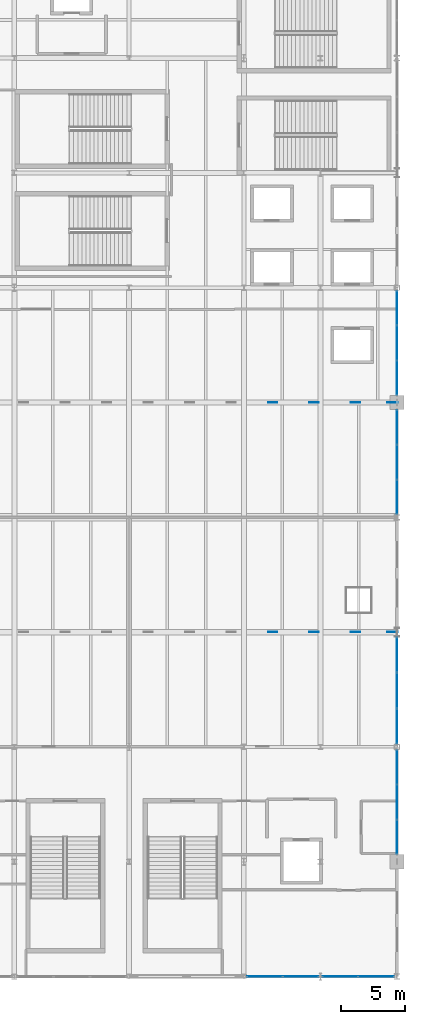
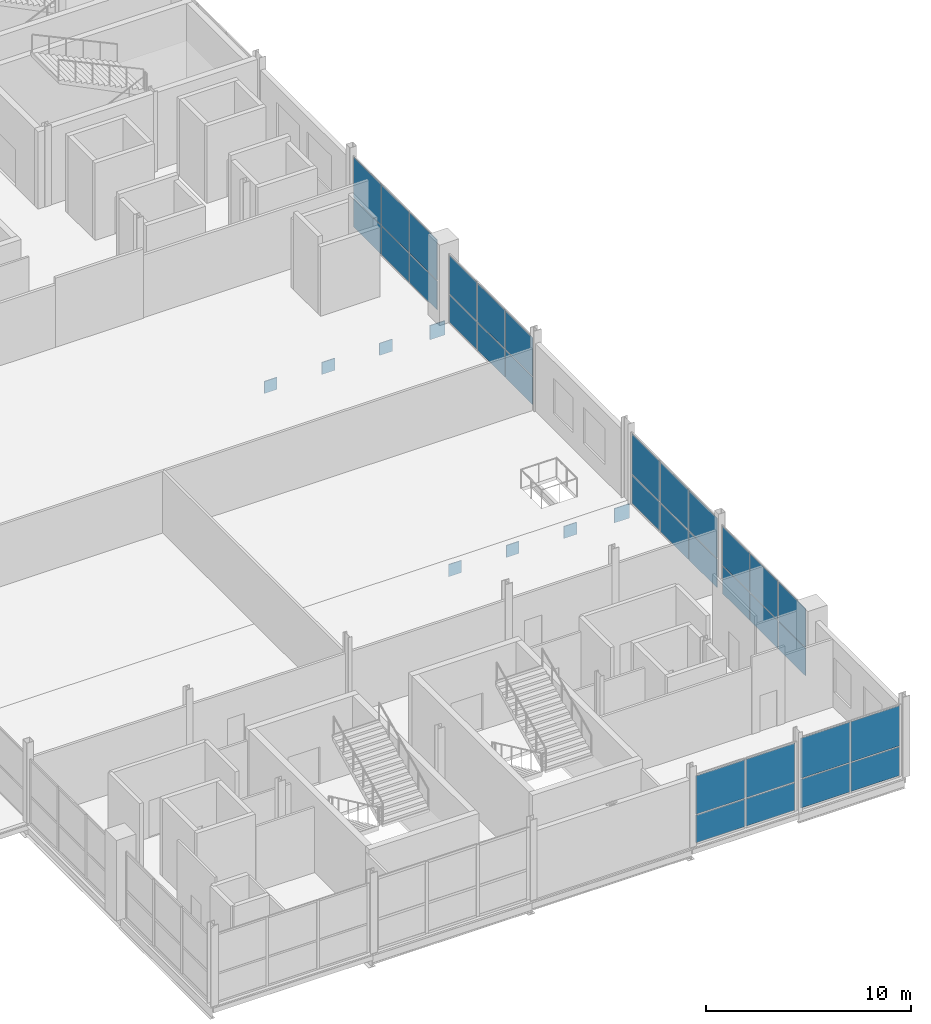
# One storey, part 44 of 69: 40 plates, 6 elements without a shape of their own.
"""IFC4 building model written with IfcOpenShell, lengths in metres."""

from ifc_helpers import new_model, si_unit, direction, frame, origin, origin_2d, place, context, subcontext, project, spatial, rectangle, extrude, material, layer, layer_set, type_object, element, aggregate, save


model = new_model("IFC4")

# Units and contexts
model_context = context("Model", 3, precision=1e-05, world=origin(), true_north=direction((0.0, 1.0)))
body_context = subcontext(model_context, "Body", "Model", "MODEL_VIEW")
ifc_project = project(units=[si_unit("LENGTHUNIT", "METRE"), si_unit("AREAUNIT", "SQUARE_METRE"), si_unit("VOLUMEUNIT", "CUBIC_METRE"), si_unit("PLANEANGLEUNIT", "RADIAN"), si_unit("MASSUNIT", "GRAM", prefix="KILO")], contexts=[model_context])

# Site, building, storey
site_placement = place(None, origin())
site = spatial("IfcSite", under=ifc_project, at=site_placement, CompositionType="ELEMENT")
building_placement = place(site_placement, origin())
building = spatial("IfcBuilding", under=site, at=building_placement, Name="Qamarlyn Nura Convention Centre", CompositionType="ELEMENT")
storey_placement = place(building_placement, frame((0.0, 0.0, 15.60009765625)))
storey = spatial("IfcBuildingStorey", under=building, at=storey_placement, Name="L03", CompositionType="ELEMENT", Elevation=15.60009765625)

# Curtain wall, plates
ifc_material_1 = material(Name="Double-silver low-E insulated glass", Category="glass")
ifc_layer_1 = layer(ifc_material_1, 0.179931640625, Name="CW-UNIT-94")
ifc_layer_set_1 = layer_set([ifc_layer_1], Name="Double-silver low-E insulated glass")
curtain_wall_type_1 = type_object("IfcCurtainWallType", Name="CW-UNIT-94", PredefinedType="NOTDEFINED", material=ifc_layer_set_1)
curtain_wall_1_placement = place(storey_placement, origin())
curtain_wall_1 = element("IfcCurtainWall", 1, at=curtain_wall_1_placement, inside=storey, type_object=curtain_wall_type_1, Name="L03 unitised curtain wall EAST-2-1", PredefinedType="NOTDEFINED")
ifc_layer_2 = layer(ifc_material_1, 0.028076171875, Name="CWP-VIS-28")
ifc_layer_set_2 = layer_set([ifc_layer_2], Name="Double-silver low-E insulated glass")
plate_type_1 = type_object("IfcPlateType", Name="CWP-VIS-28", PredefinedType="CURTAIN_PANEL", material=ifc_layer_set_2)
plate_1_placement = place(storey_placement, frame((192.0, 16.409912109375, 0.06005859375), z_axis=(0.0, 0.0, 1.0), x_axis=(0.0, -1.0, 0.0)))
plate_1 = element("IfcPlate", 2, at=plate_1_placement, type_object=plate_type_1, Name="CW94 panel 1.1", PredefinedType="CURTAIN_PANEL", context=body_context, shape_type="SweptSolid", body=[
    extrude(rectangle(XDim=2.659912109375, YDim=0.028076171875, at=origin_2d()), origin(), (0.0, 0.0, 1.0), 1.639892578125),
])
plate_2_placement = place(storey_placement, frame((192.0, 16.409912109375, 1.759765625), z_axis=(0.0, 0.0, 1.0), x_axis=(0.0, -1.0, 0.0)))
plate_2 = element("IfcPlate", 3, at=plate_2_placement, type_object=plate_type_1, Name="CW94 panel 1.2", PredefinedType="CURTAIN_PANEL", context=body_context, shape_type="SweptSolid", body=[
    extrude(rectangle(XDim=2.659912109375, YDim=0.028076171875, at=origin_2d()), origin(), (0.0, 0.0, 1.0), 2.299072265625),
])
plate_3_placement = place(storey_placement, frame((192.0, 13.675048828125, 0.06005859375), z_axis=(0.0, 0.0, 1.0), x_axis=(0.0, -1.0, 0.0)))
plate_3 = element("IfcPlate", 4, at=plate_3_placement, type_object=plate_type_1, Name="CW94 panel 2.1", PredefinedType="CURTAIN_PANEL", context=body_context, shape_type="SweptSolid", body=[
    extrude(rectangle(XDim=2.68994140625, YDim=0.028076171875, at=origin_2d()), origin(), (0.0, 0.0, 1.0), 1.639892578125),
])
plate_4_placement = place(storey_placement, frame((192.0, 13.675048828125, 1.759765625), z_axis=(0.0, 0.0, 1.0), x_axis=(0.0, -1.0, 0.0)))
plate_4 = element("IfcPlate", 5, at=plate_4_placement, type_object=plate_type_1, Name="CW94 panel 2.2", PredefinedType="CURTAIN_PANEL", context=body_context, shape_type="SweptSolid", body=[
    extrude(rectangle(XDim=2.68994140625, YDim=0.028076171875, at=origin_2d()), origin(), (0.0, 0.0, 1.0), 2.299072265625),
])
plate_5_placement = place(storey_placement, frame((192.0, 10.93994140625, 0.06005859375), z_axis=(0.0, 0.0, 1.0), x_axis=(0.0, -1.0, 0.0)))
plate_5 = element("IfcPlate", 6, at=plate_5_placement, type_object=plate_type_1, Name="CW94 panel 3.1", PredefinedType="CURTAIN_PANEL", context=body_context, shape_type="SweptSolid", body=[
    extrude(rectangle(XDim=2.659912109375, YDim=0.028076171875, at=origin_2d()), origin(), (0.0, 0.0, 1.0), 1.639892578125),
])
plate_6_placement = place(storey_placement, frame((192.0, 10.93994140625, 1.759765625), z_axis=(0.0, 0.0, 1.0), x_axis=(0.0, -1.0, 0.0)))
plate_6 = element("IfcPlate", 7, at=plate_6_placement, type_object=plate_type_1, Name="CW94 panel 3.2", PredefinedType="CURTAIN_PANEL", context=body_context, shape_type="SweptSolid", body=[
    extrude(rectangle(XDim=2.659912109375, YDim=0.028076171875, at=origin_2d()), origin(), (0.0, 0.0, 1.0), 2.299072265625),
])
aggregate(curtain_wall_1, [plate_1, plate_2, plate_3, plate_4, plate_5, plate_6])

ifc_layer_3 = layer(ifc_material_1, 0.179931640625, Name="CW-UNIT-112")
ifc_layer_set_3 = layer_set([ifc_layer_3], Name="Double-silver low-E insulated glass")
curtain_wall_type_2 = type_object("IfcCurtainWallType", Name="CW-UNIT-112", PredefinedType="NOTDEFINED", material=ifc_layer_set_3)
curtain_wall_2_placement = place(storey_placement, origin())
curtain_wall_2 = element("IfcCurtainWall", 8, at=curtain_wall_2_placement, inside=storey, type_object=curtain_wall_type_2, Name="L03 unitised curtain wall EAST-3-1", PredefinedType="NOTDEFINED")
plate_7_placement = place(storey_placement, frame((192.0, 25.226318359375, 0.06982421875), z_axis=(0.0, 0.0, 1.0), x_axis=(0.0, -1.0, 0.0)))
plate_7 = element("IfcPlate", 9, at=plate_7_placement, type_object=plate_type_1, Name="CW112 panel 1.1", PredefinedType="CURTAIN_PANEL", context=body_context, shape_type="SweptSolid", body=[
    extrude(rectangle(XDim=2.71240234375, YDim=0.028076171875, at=origin_2d()), origin(), (0.0, 0.0, 1.0), 1.695068359375),
])
plate_8_placement = place(storey_placement, frame((192.0, 25.226318359375, 1.8349609375), z_axis=(0.0, 0.0, 1.0), x_axis=(0.0, -1.0, 0.0)))
plate_8 = element("IfcPlate", 10, at=plate_8_placement, type_object=plate_type_1, Name="CW112 panel 1.2", PredefinedType="CURTAIN_PANEL", context=body_context, shape_type="SweptSolid", body=[
    extrude(rectangle(XDim=2.71240234375, YDim=0.028076171875, at=origin_2d()), origin(), (0.0, 0.0, 1.0), 2.3798828125),
])
plate_9_placement = place(storey_placement, frame((192.0, 22.42626953125, 0.06982421875), z_axis=(0.0, 0.0, 1.0), x_axis=(0.0, -1.0, 0.0)))
plate_9 = element("IfcPlate", 11, at=plate_9_placement, type_object=plate_type_1, Name="CW112 panel 2.1", PredefinedType="CURTAIN_PANEL", context=body_context, shape_type="SweptSolid", body=[
    extrude(rectangle(XDim=2.74755859375, YDim=0.028076171875, at=origin_2d()), origin(), (0.0, 0.0, 1.0), 1.695068359375),
])
plate_10_placement = place(storey_placement, frame((192.0, 22.42626953125, 1.8349609375), z_axis=(0.0, 0.0, 1.0), x_axis=(0.0, -1.0, 0.0)))
plate_10 = element("IfcPlate", 12, at=plate_10_placement, type_object=plate_type_1, Name="CW112 panel 2.2", PredefinedType="CURTAIN_PANEL", context=body_context, shape_type="SweptSolid", body=[
    extrude(rectangle(XDim=2.74755859375, YDim=0.028076171875, at=origin_2d()), origin(), (0.0, 0.0, 1.0), 2.3798828125),
])
plate_11_placement = place(storey_placement, frame((192.0, 19.626220703125, 0.06982421875), z_axis=(0.0, 0.0, 1.0), x_axis=(0.0, -1.0, 0.0)))
plate_11 = element("IfcPlate", 13, at=plate_11_placement, type_object=plate_type_1, Name="CW112 panel 3.1", PredefinedType="CURTAIN_PANEL", context=body_context, shape_type="SweptSolid", body=[
    extrude(rectangle(XDim=2.71240234375, YDim=0.028076171875, at=origin_2d()), origin(), (0.0, 0.0, 1.0), 1.695068359375),
])
plate_12_placement = place(storey_placement, frame((192.0, 19.626220703125, 1.8349609375), z_axis=(0.0, 0.0, 1.0), x_axis=(0.0, -1.0, 0.0)))
plate_12 = element("IfcPlate", 14, at=plate_12_placement, type_object=plate_type_1, Name="CW112 panel 3.2", PredefinedType="CURTAIN_PANEL", context=body_context, shape_type="SweptSolid", body=[
    extrude(rectangle(XDim=2.71240234375, YDim=0.028076171875, at=origin_2d()), origin(), (0.0, 0.0, 1.0), 2.3798828125),
])
aggregate(curtain_wall_2, [plate_7, plate_8, plate_9, plate_10, plate_11, plate_12])

curtain_wall_3_placement = place(storey_placement, origin())
curtain_wall_3 = element("IfcCurtainWall", 15, at=curtain_wall_3_placement, inside=storey, type_object=curtain_wall_type_1, Name="L03 unitised curtain wall EAST-5-1", PredefinedType="NOTDEFINED")
plate_13_placement = place(storey_placement, frame((192.0, 43.060791015625, 0.06494140625), z_axis=(0.0, 0.0, 1.0), x_axis=(0.0, -1.0, 0.0)))
plate_13 = element("IfcPlate", 16, at=plate_13_placement, type_object=plate_type_1, Name="CW94 panel 1.1", PredefinedType="CURTAIN_PANEL", context=body_context, shape_type="SweptSolid", body=[
    extrude(rectangle(XDim=2.6484375, YDim=0.028076171875, at=origin_2d()), origin(), (0.0, 0.0, 1.0), 1.632568359375),
])
plate_14_placement = place(storey_placement, frame((192.0, 43.060791015625, 1.762451171875), z_axis=(0.0, 0.0, 1.0), x_axis=(0.0, -1.0, 0.0)))
plate_14 = element("IfcPlate", 17, at=plate_14_placement, type_object=plate_type_1, Name="CW94 panel 1.2", PredefinedType="CURTAIN_PANEL", context=body_context, shape_type="SweptSolid", body=[
    extrude(rectangle(XDim=2.6484375, YDim=0.028076171875, at=origin_2d()), origin(), (0.0, 0.0, 1.0), 2.29150390625),
])
plate_15_placement = place(storey_placement, frame((192.0, 40.331298828125, 0.06494140625), z_axis=(0.0, 0.0, 1.0), x_axis=(0.0, -1.0, 0.0)))
plate_15 = element("IfcPlate", 18, at=plate_15_placement, type_object=plate_type_1, Name="CW94 panel 2.1", PredefinedType="CURTAIN_PANEL", context=body_context, shape_type="SweptSolid", body=[
    extrude(rectangle(XDim=2.680908203125, YDim=0.028076171875, at=origin_2d()), origin(), (0.0, 0.0, 1.0), 1.632568359375),
])
plate_16_placement = place(storey_placement, frame((192.0, 40.331298828125, 1.762451171875), z_axis=(0.0, 0.0, 1.0), x_axis=(0.0, -1.0, 0.0)))
plate_16 = element("IfcPlate", 19, at=plate_16_placement, type_object=plate_type_1, Name="CW94 panel 2.2", PredefinedType="CURTAIN_PANEL", context=body_context, shape_type="SweptSolid", body=[
    extrude(rectangle(XDim=2.680908203125, YDim=0.028076171875, at=origin_2d()), origin(), (0.0, 0.0, 1.0), 2.29150390625),
])
plate_17_placement = place(storey_placement, frame((192.0, 37.6015625, 0.06494140625), z_axis=(0.0, 0.0, 1.0), x_axis=(0.0, -1.0, 0.0)))
plate_17 = element("IfcPlate", 20, at=plate_17_placement, type_object=plate_type_1, Name="CW94 panel 3.1", PredefinedType="CURTAIN_PANEL", context=body_context, shape_type="SweptSolid", body=[
    extrude(rectangle(XDim=2.6484375, YDim=0.028076171875, at=origin_2d()), origin(), (0.0, 0.0, 1.0), 1.632568359375),
])
plate_18_placement = place(storey_placement, frame((192.0, 37.6015625, 1.762451171875), z_axis=(0.0, 0.0, 1.0), x_axis=(0.0, -1.0, 0.0)))
plate_18 = element("IfcPlate", 21, at=plate_18_placement, type_object=plate_type_1, Name="CW94 panel 3.2", PredefinedType="CURTAIN_PANEL", context=body_context, shape_type="SweptSolid", body=[
    extrude(rectangle(XDim=2.6484375, YDim=0.028076171875, at=origin_2d()), origin(), (0.0, 0.0, 1.0), 2.29150390625),
])
aggregate(curtain_wall_3, [plate_13, plate_14, plate_15, plate_16, plate_17, plate_18])

ifc_layer_4 = layer(ifc_material_1, 0.179931640625, Name="CW-UNIT-121")
ifc_layer_set_4 = layer_set([ifc_layer_4], Name="Double-silver low-E insulated glass")
curtain_wall_type_3 = type_object("IfcCurtainWallType", Name="CW-UNIT-121", PredefinedType="NOTDEFINED", material=ifc_layer_set_4)
curtain_wall_4_placement = place(storey_placement, origin())
curtain_wall_4 = element("IfcCurtainWall", 22, at=curtain_wall_4_placement, inside=storey, type_object=curtain_wall_type_3, Name="L03 unitised curtain wall STH-5-1", PredefinedType="NOTDEFINED")
plate_19_placement = place(storey_placement, frame((190.35791015625, 0.0, 0.059814453125), z_axis=(0.0, 0.0, 1.0), x_axis=(-1.0, 0.0, 0.0)))
plate_19 = element("IfcPlate", 23, at=plate_19_placement, type_object=plate_type_1, Name="CW121 panel 1.1", PredefinedType="CURTAIN_PANEL", context=body_context, shape_type="SweptSolid", body=[
    extrude(rectangle(XDim=2.7548828125, YDim=0.028076171875, at=origin_2d()), origin(), (0.0, 0.0, 1.0), 1.7099609375),
])
plate_20_placement = place(storey_placement, frame((190.35791015625, 0.0, 1.829833984375), z_axis=(0.0, 0.0, 1.0), x_axis=(-1.0, 0.0, 0.0)))
plate_20 = element("IfcPlate", 24, at=plate_20_placement, type_object=plate_type_1, Name="CW121 panel 1.2", PredefinedType="CURTAIN_PANEL", context=body_context, shape_type="SweptSolid", body=[
    extrude(rectangle(XDim=2.7548828125, YDim=0.028076171875, at=origin_2d()), origin(), (0.0, 0.0, 1.0), 2.39501953125),
])
plate_21_placement = place(storey_placement, frame((187.54296875, 0.0, 0.059814453125), z_axis=(0.0, 0.0, 1.0), x_axis=(-1.0, 0.0, 0.0)))
plate_21 = element("IfcPlate", 25, at=plate_21_placement, type_object=plate_type_1, Name="CW121 panel 2.1", PredefinedType="CURTAIN_PANEL", context=body_context, shape_type="SweptSolid", body=[
    extrude(rectangle(XDim=2.7548828125, YDim=0.028076171875, at=origin_2d()), origin(), (0.0, 0.0, 1.0), 1.7099609375),
])
plate_22_placement = place(storey_placement, frame((187.54296875, 0.0, 1.829833984375), z_axis=(0.0, 0.0, 1.0), x_axis=(-1.0, 0.0, 0.0)))
plate_22 = element("IfcPlate", 26, at=plate_22_placement, type_object=plate_type_1, Name="CW121 panel 2.2", PredefinedType="CURTAIN_PANEL", context=body_context, shape_type="SweptSolid", body=[
    extrude(rectangle(XDim=2.7548828125, YDim=0.028076171875, at=origin_2d()), origin(), (0.0, 0.0, 1.0), 2.39501953125),
])
aggregate(curtain_wall_4, [plate_19, plate_20, plate_21, plate_22])

ifc_layer_5 = layer(ifc_material_1, 0.179931640625, Name="CW-UNIT-113")
ifc_layer_set_5 = layer_set([ifc_layer_5], Name="Double-silver low-E insulated glass")
curtain_wall_type_4 = type_object("IfcCurtainWallType", Name="CW-UNIT-113", PredefinedType="NOTDEFINED", material=ifc_layer_set_5)
curtain_wall_5_placement = place(storey_placement, origin())
curtain_wall_5 = element("IfcCurtainWall", 27, at=curtain_wall_5_placement, inside=storey, type_object=curtain_wall_type_4, Name="L03 unitised curtain wall EAST-6-1", PredefinedType="NOTDEFINED")
ifc_layer_6 = layer(ifc_material_1, 0.031982421875, Name="CWP-VIS-32")
ifc_layer_set_6 = layer_set([ifc_layer_6], Name="Double-silver low-E insulated glass")
plate_type_2 = type_object("IfcPlateType", Name="CWP-VIS-32", PredefinedType="CURTAIN_PANEL", material=ifc_layer_set_6)
plate_23_placement = place(storey_placement, frame((192.0, 52.409912109375, 0.059814453125), z_axis=(0.0, 0.0, 1.0), x_axis=(0.0, -1.0, 0.0)))
plate_23 = element("IfcPlate", 28, at=plate_23_placement, type_object=plate_type_2, Name="CW113 panel 1.1", PredefinedType="CURTAIN_PANEL", context=body_context, shape_type="SweptSolid", body=[
    extrude(rectangle(XDim=2.659912109375, YDim=0.031982421875, at=origin_2d()), origin(), (0.0, 0.0, 1.0), 1.7099609375),
])
plate_24_placement = place(storey_placement, frame((192.0, 52.409912109375, 1.829833984375), z_axis=(0.0, 0.0, 1.0), x_axis=(0.0, -1.0, 0.0)))
plate_24 = element("IfcPlate", 29, at=plate_24_placement, type_object=plate_type_2, Name="CW113 panel 1.2", PredefinedType="CURTAIN_PANEL", context=body_context, shape_type="SweptSolid", body=[
    extrude(rectangle(XDim=2.659912109375, YDim=0.031982421875, at=origin_2d()), origin(), (0.0, 0.0, 1.0), 2.39501953125),
])
plate_25_placement = place(storey_placement, frame((192.0, 49.675048828125, 0.059814453125), z_axis=(0.0, 0.0, 1.0), x_axis=(0.0, -1.0, 0.0)))
plate_25 = element("IfcPlate", 30, at=plate_25_placement, type_object=plate_type_2, Name="CW113 panel 2.1", PredefinedType="CURTAIN_PANEL", context=body_context, shape_type="SweptSolid", body=[
    extrude(rectangle(XDim=2.68994140625, YDim=0.031982421875, at=origin_2d()), origin(), (0.0, 0.0, 1.0), 1.7099609375),
])
plate_26_placement = place(storey_placement, frame((192.0, 49.675048828125, 1.829833984375), z_axis=(0.0, 0.0, 1.0), x_axis=(0.0, -1.0, 0.0)))
plate_26 = element("IfcPlate", 31, at=plate_26_placement, type_object=plate_type_2, Name="CW113 panel 2.2", PredefinedType="CURTAIN_PANEL", context=body_context, shape_type="SweptSolid", body=[
    extrude(rectangle(XDim=2.68994140625, YDim=0.031982421875, at=origin_2d()), origin(), (0.0, 0.0, 1.0), 2.39501953125),
])
plate_27_placement = place(storey_placement, frame((192.0, 46.93994140625, 0.059814453125), z_axis=(0.0, 0.0, 1.0), x_axis=(0.0, -1.0, 0.0)))
plate_27 = element("IfcPlate", 32, at=plate_27_placement, type_object=plate_type_2, Name="CW113 panel 3.1", PredefinedType="CURTAIN_PANEL", context=body_context, shape_type="SweptSolid", body=[
    extrude(rectangle(XDim=2.659912109375, YDim=0.031982421875, at=origin_2d()), origin(), (0.0, 0.0, 1.0), 1.7099609375),
])
plate_28_placement = place(storey_placement, frame((192.0, 46.93994140625, 1.829833984375), z_axis=(0.0, 0.0, 1.0), x_axis=(0.0, -1.0, 0.0)))
plate_28 = element("IfcPlate", 33, at=plate_28_placement, type_object=plate_type_2, Name="CW113 panel 3.2", PredefinedType="CURTAIN_PANEL", context=body_context, shape_type="SweptSolid", body=[
    extrude(rectangle(XDim=2.659912109375, YDim=0.031982421875, at=origin_2d()), origin(), (0.0, 0.0, 1.0), 2.39501953125),
])
aggregate(curtain_wall_5, [plate_23, plate_24, plate_25, plate_26, plate_27, plate_28])

ifc_layer_7 = layer(ifc_material_1, 0.179931640625, Name="CW-UNIT-120")
ifc_layer_set_7 = layer_set([ifc_layer_7], Name="Double-silver low-E insulated glass")
curtain_wall_type_5 = type_object("IfcCurtainWallType", Name="CW-UNIT-120", PredefinedType="NOTDEFINED", material=ifc_layer_set_7)
curtain_wall_6_placement = place(storey_placement, origin())
curtain_wall_6 = element("IfcCurtainWall", 34, at=curtain_wall_6_placement, inside=storey, type_object=curtain_wall_type_5, Name="L03 unitised curtain wall STH-4-1", PredefinedType="NOTDEFINED")
plate_29_placement = place(storey_placement, frame((184.45068359375, 0.0, 0.06494140625), z_axis=(0.0, 0.0, 1.0), x_axis=(-1.0, 0.0, 0.0)))
plate_29 = element("IfcPlate", 35, at=plate_29_placement, type_object=plate_type_2, Name="CW120 panel 1.1", PredefinedType="CURTAIN_PANEL", context=body_context, shape_type="SweptSolid", body=[
    extrude(rectangle(XDim=2.757568359375, YDim=0.031982421875, at=origin_2d()), origin(), (0.0, 0.0, 1.0), 1.632568359375),
])
plate_30_placement = place(storey_placement, frame((184.45068359375, 0.0, 1.762451171875), z_axis=(0.0, 0.0, 1.0), x_axis=(-1.0, 0.0, 0.0)))
plate_30 = element("IfcPlate", 36, at=plate_30_placement, type_object=plate_type_2, Name="CW120 panel 1.2", PredefinedType="CURTAIN_PANEL", context=body_context, shape_type="SweptSolid", body=[
    extrude(rectangle(XDim=2.757568359375, YDim=0.031982421875, at=origin_2d()), origin(), (0.0, 0.0, 1.0), 2.29150390625),
])
plate_31_placement = place(storey_placement, frame((181.628173828125, 0.0, 0.06494140625), z_axis=(0.0, 0.0, 1.0), x_axis=(-1.0, 0.0, 0.0)))
plate_31 = element("IfcPlate", 37, at=plate_31_placement, type_object=plate_type_2, Name="CW120 panel 2.1", PredefinedType="CURTAIN_PANEL", context=body_context, shape_type="SweptSolid", body=[
    extrude(rectangle(XDim=2.757568359375, YDim=0.031982421875, at=origin_2d()), origin(), (0.0, 0.0, 1.0), 1.632568359375),
])
plate_32_placement = place(storey_placement, frame((181.628173828125, 0.0, 1.762451171875), z_axis=(0.0, 0.0, 1.0), x_axis=(-1.0, 0.0, 0.0)))
plate_32 = element("IfcPlate", 38, at=plate_32_placement, type_object=plate_type_2, Name="CW120 panel 2.2", PredefinedType="CURTAIN_PANEL", context=body_context, shape_type="SweptSolid", body=[
    extrude(rectangle(XDim=2.757568359375, YDim=0.031982421875, at=origin_2d()), origin(), (0.0, 0.0, 1.0), 2.29150390625),
])
aggregate(curtain_wall_6, [plate_29, plate_30, plate_31, plate_32])

# Plates
ifc_material_2 = material(Name="Structural steel ASTM A572 Grade 50", Category="steel")
ifc_layer_8 = layer(ifc_material_2, 0.044921875, Name="GP-TN1")
ifc_layer_set_8 = layer_set([ifc_layer_8], Name="Structural steel ASTM A572 Grade 50")
plate_type_3 = type_object("IfcPlateType", Name="GP-TN1", PredefinedType="USERDEFINED", material=ifc_layer_set_8)
for number, where, z_axis, x_axis, name in (
    (39, (182.25, 27.0, -1.01611328125), (0.0, 0.0, 1.0), (1.0, 0.0, 0.0), "Transfer truss apex gusset plate D-P5T"),
    (40, (188.75, 27.0, -1.01611328125), (0.0, 0.0, 1.0), (1.0, 0.0, 0.0), "Transfer truss apex gusset plate D-P6T"),
    (41, (185.5, 27.0, -1.01611328125), (0.0, 0.0, 1.0), (1.0, 0.0, 0.0), "Transfer truss hanger top gusset plate D-V5T"),
    (42, (182.25, 45.0, -1.01611328125), (0.0, 0.0, 1.0), (1.0, 0.0, 0.0), "Transfer truss apex gusset plate F-P5T"),
    (43, (188.75, 45.0, -1.01611328125), (0.0, 0.0, 1.0), (1.0, 0.0, 0.0), "Transfer truss apex gusset plate F-P6T"),
    (44, (185.5, 45.0, -1.01611328125), (0.0, 0.0, 1.0), (1.0, 0.0, 0.0), "Transfer truss hanger top gusset plate F-V5T"),
):
    element("IfcPlate", number, at=place(storey_placement, frame(where, z_axis=z_axis, x_axis=x_axis)), inside=storey, type_object=plate_type_3, Name=name, ObjectType="GUSSET PLATE", PredefinedType="USERDEFINED", context=body_context, shape_type="SweptSolid", body=[
        extrude(rectangle(XDim=0.719970703125, YDim=0.044921875, at=origin_2d()), origin(), (0.0, 0.0, 1.0), 0.719970703125),
    ])
ifc_layer_9 = layer(ifc_material_2, 0.050048828125, Name="GP-TN2")
ifc_layer_set_9 = layer_set([ifc_layer_9], Name="Structural steel ASTM A572 Grade 50")
plate_type_4 = type_object("IfcPlateType", Name="GP-TN2", PredefinedType="USERDEFINED", material=ifc_layer_set_9)
for number, where, z_axis, x_axis, name in (
    (45, (191.64990234375, 27.0, -1.0810546875), (0.0, 0.0, 1.0), (1.0, 0.0, 0.0), "Transfer structure node gusset plate D-ET"),
    (46, (191.64990234375, 45.0, -1.0810546875), (0.0, 0.0, 1.0), (1.0, 0.0, 0.0), "Transfer structure node gusset plate F-ET"),
):
    element("IfcPlate", number, at=place(storey_placement, frame(where, z_axis=z_axis, x_axis=x_axis)), inside=storey, type_object=plate_type_4, Name=name, ObjectType="GUSSET PLATE", PredefinedType="USERDEFINED", context=body_context, shape_type="SweptSolid", body=[
        extrude(rectangle(XDim=0.85009765625, YDim=0.050048828125, at=origin_2d()), origin(), (0.0, 0.0, 1.0), 0.85009765625),
    ])

save(model, "model.ifc")
